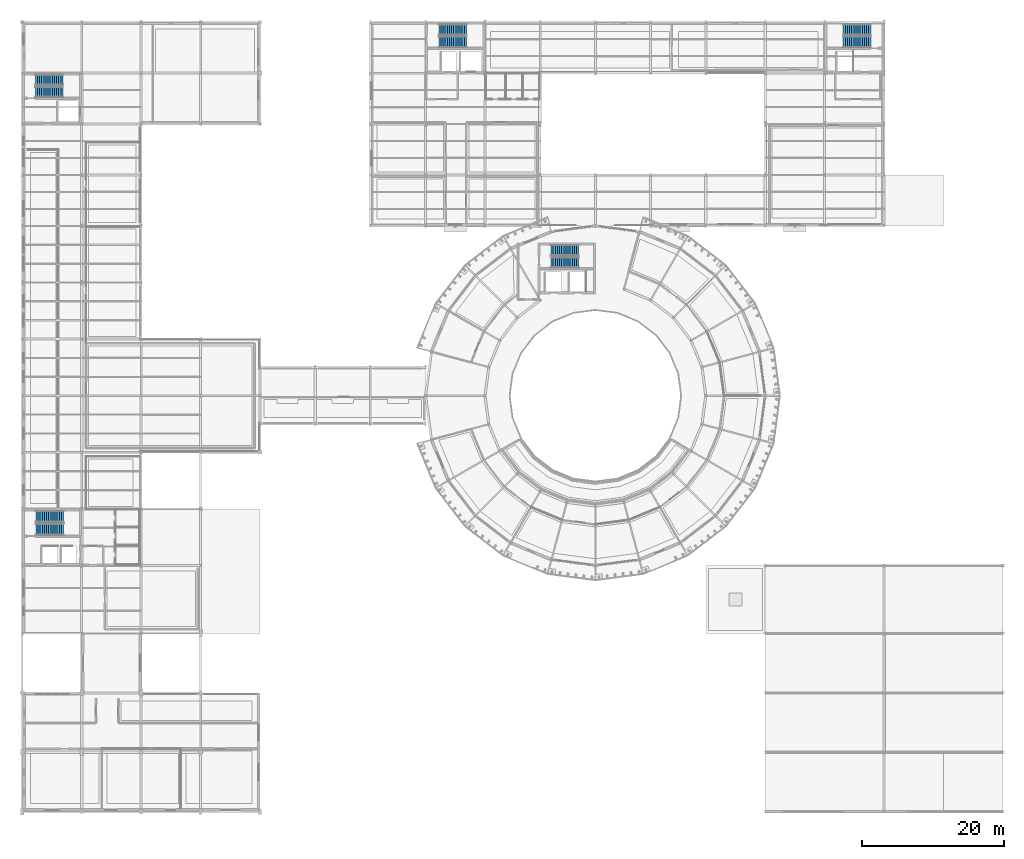
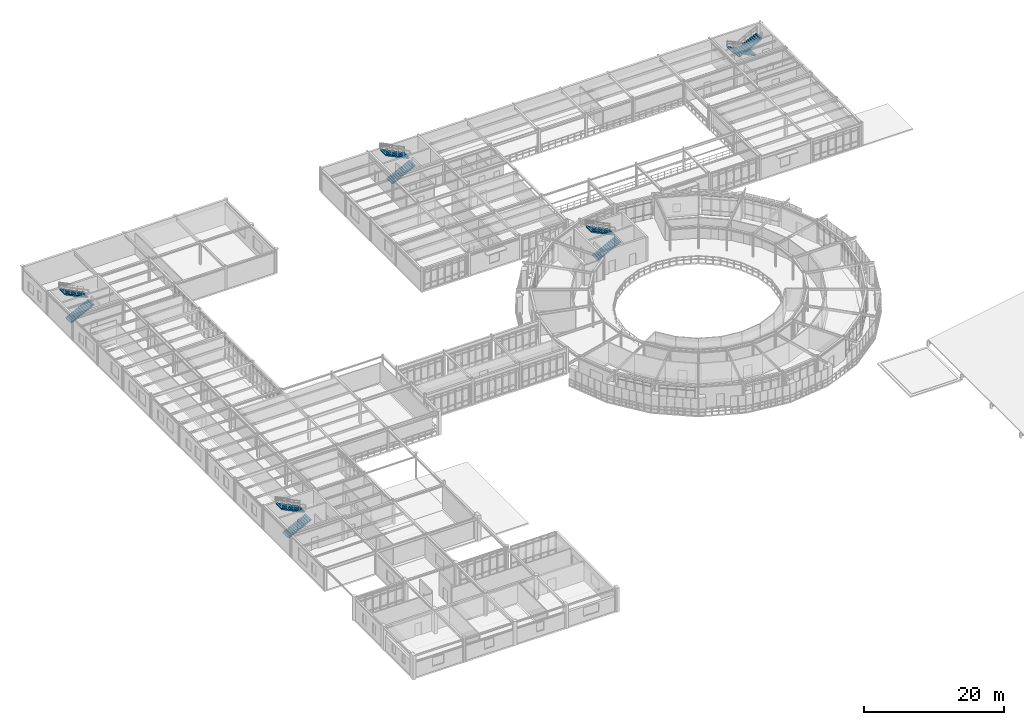
# One storey, part 79 of 90: 10 stair flights, 5 elements without a shape of their own.
"""IFC4 building model written with IfcOpenShell, lengths in metres."""

from ifc_helpers import new_model, si_unit, derived_unit, direction, frame, origin, place, context, subcontext, project, spatial, polyline, outline, extrude, material, type_object, element, aggregate, save


model = new_model("IFC4")

# Units and contexts
model_context = context("Model", 3, precision=1e-05, world=origin(), true_north=direction((0.0, 1.0)))
body_context = subcontext(model_context, "Body", "Model", "MODEL_VIEW")
ifc_project = project(units=[si_unit("LENGTHUNIT", "METRE"), si_unit("AREAUNIT", "SQUARE_METRE"), si_unit("VOLUMEUNIT", "CUBIC_METRE"), si_unit("PLANEANGLEUNIT", "RADIAN"), si_unit("MASSUNIT", "GRAM", prefix="KILO"), derived_unit("THERMALTRANSMITTANCEUNIT", [(si_unit("POWERUNIT", "WATT"), 1), (si_unit("AREAUNIT", "SQUARE_METRE"), -1), (si_unit("THERMODYNAMICTEMPERATUREUNIT", "KELVIN"), -1)])], contexts=[model_context])

# Site, building, storey
site_placement = place(None, origin())
site = spatial("IfcSite", under=ifc_project, at=site_placement, CompositionType="ELEMENT")
building_placement = place(site_placement, origin())
building = spatial("IfcBuilding", under=site, at=building_placement, Name="Yasenodar Specialist Clinic", CompositionType="ELEMENT")
storey_placement = place(building_placement, frame((0.0, 0.0, 9.0)))
storey = spatial("IfcBuildingStorey", under=building, at=storey_placement, Name="L02", CompositionType="ELEMENT", Elevation=9.0)

# Stair, stair flights
ifc_material = material(Name="Concrete C30/37", Category="concrete")
stair_type_1 = type_object("IfcStairType", Name="ST-DOG-C1-28", PredefinedType="HALF_TURN_STAIR", material=ifc_material)
stair_1_placement = place(storey_placement, origin())
stair_1 = element("IfcStair", 1, at=stair_1_placement, inside=storey, type_object=stair_type_1, Name="L02 Core C1 Exit Stair ST-01", PredefinedType="HALF_TURN_STAIR")
stair_flight_type_1 = type_object("IfcStairFlightType", Name="STF-C1-28", PredefinedType="STRAIGHT", material=ifc_material)
stair_flight_1_placement = place(storey_placement, frame((1.929931640625, 39.875, 0.0), z_axis=(0.0, 0.0, 1.0), x_axis=(1.0, 0.0, 0.0)))
stair_flight_1 = element("IfcStairFlight", 2, at=stair_flight_1_placement, type_object=stair_flight_type_1, Name="ST-01 flight 1", NumberOfRisers=14, NumberOfTreads=13, PredefinedType="STRAIGHT", RiserHeight=0.15, TreadLength=0.3, context=body_context, shape_type="SweptSolid", body=[
    extrude(outline(polyline([(0.0, 0.0), (0.0, 0.14990234375), (0.300048828125, 0.14990234375), (0.300048828125, 0.300048828125), (0.60009765625, 0.300048828125), (0.60009765625, 0.449951171875), (0.89990234375, 0.449951171875), (0.89990234375, 0.60009765625), (1.199951171875, 0.60009765625), (1.199951171875, 0.75), (1.5, 0.75), (1.5, 0.89990234375), (1.800048828125, 0.89990234375), (1.800048828125, 1.050048828125), (2.10009765625, 1.050048828125), (2.10009765625, 1.199951171875), (2.39990234375, 1.199951171875), (2.39990234375, 1.35009765625), (2.699951171875, 1.35009765625), (2.699951171875, 1.5), (3.0, 1.5), (3.0, 1.64990234375), (3.300048828125, 1.64990234375), (3.300048828125, 1.800048828125), (3.60009765625, 1.800048828125), (3.60009765625, 1.949951171875), (3.89990234375, 1.949951171875), (3.89990234375, 2.10009765625), (3.89990234375, 1.771240234375), (0.357666015625, 0.0), (0.0, 0.0)])), frame((0.0, 0.81494140625, 0.0), z_axis=(0.0, -1.0, 0.0), x_axis=(1.0, 0.0, 0.0)), (0.0, 0.0, 1.0), 1.6298828125),
])
stair_flight_2_placement = place(storey_placement, frame((5.830078125, 41.695068359375, 2.10009765625), z_axis=(0.0, 0.0, 1.0), x_axis=(-1.0, 0.0, 0.0)))
stair_flight_2 = element("IfcStairFlight", 3, at=stair_flight_2_placement, type_object=stair_flight_type_1, Name="ST-01 flight 2", NumberOfRisers=14, NumberOfTreads=13, PredefinedType="STRAIGHT", RiserHeight=0.15, TreadLength=0.3, context=body_context, shape_type="SweptSolid", body=[
    extrude(outline(polyline([(0.0, 0.0), (0.0, 0.14990234375), (0.300048828125, 0.14990234375), (0.300048828125, 0.300048828125), (0.60009765625, 0.300048828125), (0.60009765625, 0.449951171875), (0.89990234375, 0.449951171875), (0.89990234375, 0.60009765625), (1.199951171875, 0.60009765625), (1.199951171875, 0.75), (1.5, 0.75), (1.5, 0.89990234375), (1.800048828125, 0.89990234375), (1.800048828125, 1.050048828125), (2.10009765625, 1.050048828125), (2.10009765625, 1.199951171875), (2.39990234375, 1.199951171875), (2.39990234375, 1.35009765625), (2.699951171875, 1.35009765625), (2.699951171875, 1.5), (3.0, 1.5), (3.0, 1.64990234375), (3.300048828125, 1.64990234375), (3.300048828125, 1.800048828125), (3.60009765625, 1.800048828125), (3.60009765625, 1.949951171875), (3.89990234375, 1.949951171875), (3.89990234375, 2.10009765625), (3.89990234375, 1.771240234375), (0.357666015625, 0.0), (0.0, 0.0)])), frame((0.0, 0.81494140625, 0.0), z_axis=(0.0, -1.0, 0.0), x_axis=(1.0, 0.0, 0.0)), (0.0, 0.0, 1.0), 1.6298828125),
])
aggregate(stair_1, [stair_flight_1, stair_flight_2])

stair_type_2 = type_object("IfcStairType", Name="ST-DOG-C2-28", PredefinedType="HALF_TURN_STAIR", material=ifc_material)
stair_2_placement = place(storey_placement, origin())
stair_2 = element("IfcStair", 4, at=stair_2_placement, inside=storey, type_object=stair_type_2, Name="L02 Core C2 Exit Stair ST-02", PredefinedType="HALF_TURN_STAIR")
stair_flight_type_2 = type_object("IfcStairFlightType", Name="STF-C2-28", PredefinedType="STRAIGHT", material=ifc_material)
stair_flight_3_placement = place(storey_placement, frame((1.840087890625, 101.72998046875, 0.0), z_axis=(0.0, 0.0, 1.0), x_axis=(1.0, 0.0, 0.0)))
stair_flight_3 = element("IfcStairFlight", 5, at=stair_flight_3_placement, type_object=stair_flight_type_2, Name="ST-02 flight 1", NumberOfRisers=14, NumberOfTreads=13, PredefinedType="STRAIGHT", RiserHeight=0.15, TreadLength=0.3, context=body_context, shape_type="SweptSolid", body=[
    extrude(outline(polyline([(0.0, 0.0), (0.0, 0.14990234375), (0.300048828125, 0.14990234375), (0.300048828125, 0.300048828125), (0.60009765625, 0.300048828125), (0.60009765625, 0.449951171875), (0.89990234375, 0.449951171875), (0.89990234375, 0.60009765625), (1.199951171875, 0.60009765625), (1.199951171875, 0.75), (1.5, 0.75), (1.5, 0.89990234375), (1.800048828125, 0.89990234375), (1.800048828125, 1.050048828125), (2.10009765625, 1.050048828125), (2.10009765625, 1.199951171875), (2.39990234375, 1.199951171875), (2.39990234375, 1.35009765625), (2.699951171875, 1.35009765625), (2.699951171875, 1.5), (3.0, 1.5), (3.0, 1.64990234375), (3.300048828125, 1.64990234375), (3.300048828125, 1.800048828125), (3.60009765625, 1.800048828125), (3.60009765625, 1.949951171875), (3.89990234375, 1.949951171875), (3.89990234375, 2.10009765625), (3.89990234375, 1.771240234375), (0.357666015625, 0.0), (0.0, 0.0)])), frame((0.0, 0.77001953125, 0.0), z_axis=(0.0, -1.0, 0.0), x_axis=(1.0, 0.0, 0.0)), (0.0, 0.0, 1.0), 1.5400390625),
])
stair_flight_4_placement = place(storey_placement, frame((5.739990234375, 103.429931640625, 2.10009765625), z_axis=(0.0, 0.0, 1.0), x_axis=(-1.0, 0.0, 0.0)))
stair_flight_4 = element("IfcStairFlight", 6, at=stair_flight_4_placement, type_object=stair_flight_type_2, Name="ST-02 flight 2", NumberOfRisers=14, NumberOfTreads=13, PredefinedType="STRAIGHT", RiserHeight=0.15, TreadLength=0.3, context=body_context, shape_type="SweptSolid", body=[
    extrude(outline(polyline([(0.0, 0.0), (0.0, 0.14990234375), (0.300048828125, 0.14990234375), (0.300048828125, 0.300048828125), (0.60009765625, 0.300048828125), (0.60009765625, 0.449951171875), (0.89990234375, 0.449951171875), (0.89990234375, 0.60009765625), (1.199951171875, 0.60009765625), (1.199951171875, 0.75), (1.5, 0.75), (1.5, 0.89990234375), (1.800048828125, 0.89990234375), (1.800048828125, 1.050048828125), (2.10009765625, 1.050048828125), (2.10009765625, 1.199951171875), (2.39990234375, 1.199951171875), (2.39990234375, 1.35009765625), (2.699951171875, 1.35009765625), (2.699951171875, 1.5), (3.0, 1.5), (3.0, 1.64990234375), (3.300048828125, 1.64990234375), (3.300048828125, 1.800048828125), (3.60009765625, 1.800048828125), (3.60009765625, 1.949951171875), (3.89990234375, 1.949951171875), (3.89990234375, 2.10009765625), (3.89990234375, 1.771240234375), (0.357666015625, 0.0), (0.0, 0.0)])), frame((0.0, 0.77001953125, 0.0), z_axis=(0.0, -1.0, 0.0), x_axis=(1.0, 0.0, 0.0)), (0.0, 0.0, 1.0), 1.5400390625),
])
aggregate(stair_2, [stair_flight_3, stair_flight_4])

stair_3_placement = place(storey_placement, origin())
stair_3 = element("IfcStair", 7, at=stair_3_placement, inside=storey, type_object=stair_type_2, Name="L02 Core C3 Exit Stair ST-03", PredefinedType="HALF_TURN_STAIR")
stair_flight_5_placement = place(storey_placement, frame((74.739990234375, 77.6298828125, 0.0), z_axis=(0.0, 0.0, 1.0), x_axis=(1.0, 0.0, 0.0)))
stair_flight_5 = element("IfcStairFlight", 8, at=stair_flight_5_placement, type_object=stair_flight_type_2, Name="ST-03 flight 1", NumberOfRisers=14, NumberOfTreads=13, PredefinedType="STRAIGHT", RiserHeight=0.15, TreadLength=0.3, context=body_context, shape_type="SweptSolid", body=[
    extrude(outline(polyline([(0.0, 0.0), (0.0, 0.14990234375), (0.300048828125, 0.14990234375), (0.300048828125, 0.300048828125), (0.60009765625, 0.300048828125), (0.60009765625, 0.449951171875), (0.89990234375, 0.449951171875), (0.89990234375, 0.60009765625), (1.199951171875, 0.60009765625), (1.199951171875, 0.75), (1.5, 0.75), (1.5, 0.89990234375), (1.800048828125, 0.89990234375), (1.800048828125, 1.050048828125), (2.10009765625, 1.050048828125), (2.10009765625, 1.199951171875), (2.39990234375, 1.199951171875), (2.39990234375, 1.35009765625), (2.699951171875, 1.35009765625), (2.699951171875, 1.5), (3.0, 1.5), (3.0, 1.64990234375), (3.300048828125, 1.64990234375), (3.300048828125, 1.800048828125), (3.60009765625, 1.800048828125), (3.60009765625, 1.949951171875), (3.89990234375, 1.949951171875), (3.89990234375, 2.10009765625), (3.89990234375, 1.771240234375), (0.357666015625, 0.0), (0.0, 0.0)])), frame((0.0, 0.77001953125, 0.0), z_axis=(0.0, -1.0, 0.0), x_axis=(1.0, 0.0, 0.0)), (0.0, 0.0, 1.0), 1.5400390625),
])
stair_flight_6_placement = place(storey_placement, frame((78.639892578125, 79.340087890625, 2.10009765625), z_axis=(0.0, 0.0, 1.0), x_axis=(-1.0, 0.0, 0.0)))
stair_flight_6 = element("IfcStairFlight", 9, at=stair_flight_6_placement, type_object=stair_flight_type_2, Name="ST-03 flight 2", NumberOfRisers=14, NumberOfTreads=13, PredefinedType="STRAIGHT", RiserHeight=0.15, TreadLength=0.3, context=body_context, shape_type="SweptSolid", body=[
    extrude(outline(polyline([(0.0, 0.0), (0.0, 0.14990234375), (0.300048828125, 0.14990234375), (0.300048828125, 0.300048828125), (0.60009765625, 0.300048828125), (0.60009765625, 0.449951171875), (0.89990234375, 0.449951171875), (0.89990234375, 0.60009765625), (1.199951171875, 0.60009765625), (1.199951171875, 0.75), (1.5, 0.75), (1.5, 0.89990234375), (1.800048828125, 0.89990234375), (1.800048828125, 1.050048828125), (2.10009765625, 1.050048828125), (2.10009765625, 1.199951171875), (2.39990234375, 1.199951171875), (2.39990234375, 1.35009765625), (2.699951171875, 1.35009765625), (2.699951171875, 1.5), (3.0, 1.5), (3.0, 1.64990234375), (3.300048828125, 1.64990234375), (3.300048828125, 1.800048828125), (3.60009765625, 1.800048828125), (3.60009765625, 1.949951171875), (3.89990234375, 1.949951171875), (3.89990234375, 2.10009765625), (3.89990234375, 1.771240234375), (0.357666015625, 0.0), (0.0, 0.0)])), frame((0.0, 0.77001953125, 0.0), z_axis=(0.0, -1.0, 0.0), x_axis=(1.0, 0.0, 0.0)), (0.0, 0.0, 1.0), 1.5400390625),
])
aggregate(stair_3, [stair_flight_5, stair_flight_6])

stair_type_3 = type_object("IfcStairType", Name="ST-DOG-C4-28", PredefinedType="HALF_TURN_STAIR", material=ifc_material)
stair_4_placement = place(storey_placement, origin())
stair_4 = element("IfcStair", 10, at=stair_4_placement, inside=storey, type_object=stair_type_3, Name="L02 Core C4 Exit Stair ST-04", PredefinedType="HALF_TURN_STAIR")
stair_flight_type_3 = type_object("IfcStairFlightType", Name="STF-C4-28", PredefinedType="STRAIGHT", material=ifc_material)
stair_flight_7_placement = place(storey_placement, frame((58.8701171875, 108.794921875, 0.0), z_axis=(0.0, 0.0, 1.0), x_axis=(1.0, 0.0, 0.0)))
stair_flight_7 = element("IfcStairFlight", 11, at=stair_flight_7_placement, type_object=stair_flight_type_3, Name="ST-04 flight 1", NumberOfRisers=14, NumberOfTreads=13, PredefinedType="STRAIGHT", RiserHeight=0.15, TreadLength=0.3, context=body_context, shape_type="SweptSolid", body=[
    extrude(outline(polyline([(0.0, 0.0), (0.0, 0.14990234375), (0.300048828125, 0.14990234375), (0.300048828125, 0.300048828125), (0.60009765625, 0.300048828125), (0.60009765625, 0.449951171875), (0.89990234375, 0.449951171875), (0.89990234375, 0.60009765625), (1.199951171875, 0.60009765625), (1.199951171875, 0.75), (1.5, 0.75), (1.5, 0.89990234375), (1.800048828125, 0.89990234375), (1.800048828125, 1.050048828125), (2.10009765625, 1.050048828125), (2.10009765625, 1.199951171875), (2.39990234375, 1.199951171875), (2.39990234375, 1.35009765625), (2.699951171875, 1.35009765625), (2.699951171875, 1.5), (3.0, 1.5), (3.0, 1.64990234375), (3.300048828125, 1.64990234375), (3.300048828125, 1.800048828125), (3.60009765625, 1.800048828125), (3.60009765625, 1.949951171875), (3.89990234375, 1.949951171875), (3.89990234375, 2.10009765625), (3.89990234375, 1.771240234375), (0.357666015625, 0.0), (0.0, 0.0)])), frame((0.0, 0.78515625, 0.0), z_axis=(0.0, -1.0, 0.0), x_axis=(1.0, 0.0, 0.0)), (0.0, 0.0, 1.0), 1.570068359375),
])
stair_flight_8_placement = place(storey_placement, frame((62.77001953125, 110.52490234375, 2.10009765625), z_axis=(0.0, 0.0, 1.0), x_axis=(-1.0, 0.0, 0.0)))
stair_flight_8 = element("IfcStairFlight", 12, at=stair_flight_8_placement, type_object=stair_flight_type_3, Name="ST-04 flight 2", NumberOfRisers=14, NumberOfTreads=13, PredefinedType="STRAIGHT", RiserHeight=0.15, TreadLength=0.3, context=body_context, shape_type="SweptSolid", body=[
    extrude(outline(polyline([(0.0, 0.0), (0.0, 0.14990234375), (0.300048828125, 0.14990234375), (0.300048828125, 0.300048828125), (0.60009765625, 0.300048828125), (0.60009765625, 0.449951171875), (0.89990234375, 0.449951171875), (0.89990234375, 0.60009765625), (1.199951171875, 0.60009765625), (1.199951171875, 0.75), (1.5, 0.75), (1.5, 0.89990234375), (1.800048828125, 0.89990234375), (1.800048828125, 1.050048828125), (2.10009765625, 1.050048828125), (2.10009765625, 1.199951171875), (2.39990234375, 1.199951171875), (2.39990234375, 1.35009765625), (2.699951171875, 1.35009765625), (2.699951171875, 1.5), (3.0, 1.5), (3.0, 1.64990234375), (3.300048828125, 1.64990234375), (3.300048828125, 1.800048828125), (3.60009765625, 1.800048828125), (3.60009765625, 1.949951171875), (3.89990234375, 1.949951171875), (3.89990234375, 2.10009765625), (3.89990234375, 1.771240234375), (0.357666015625, 0.0), (0.0, 0.0)])), frame((0.0, 0.78515625, 0.0), z_axis=(0.0, -1.0, 0.0), x_axis=(1.0, 0.0, 0.0)), (0.0, 0.0, 1.0), 1.570068359375),
])
aggregate(stair_4, [stair_flight_7, stair_flight_8])

stair_5_placement = place(storey_placement, origin())
stair_5 = element("IfcStair", 13, at=stair_5_placement, inside=storey, type_object=stair_type_3, Name="L02 Core C5 Exit Stair ST-05", PredefinedType="HALF_TURN_STAIR")
stair_flight_9_placement = place(storey_placement, frame((119.929931640625, 110.52490234375, 0.0), z_axis=(0.0, 0.0, 1.0), x_axis=(-1.0, 0.0, 0.0)))
stair_flight_9 = element("IfcStairFlight", 14, at=stair_flight_9_placement, type_object=stair_flight_type_3, Name="ST-05 flight 1", NumberOfRisers=14, NumberOfTreads=13, PredefinedType="STRAIGHT", RiserHeight=0.15, TreadLength=0.3, context=body_context, shape_type="SweptSolid", body=[
    extrude(outline(polyline([(0.0, 0.0), (0.0, 0.14990234375), (0.300048828125, 0.14990234375), (0.300048828125, 0.300048828125), (0.60009765625, 0.300048828125), (0.60009765625, 0.449951171875), (0.89990234375, 0.449951171875), (0.89990234375, 0.60009765625), (1.199951171875, 0.60009765625), (1.199951171875, 0.75), (1.5, 0.75), (1.5, 0.89990234375), (1.800048828125, 0.89990234375), (1.800048828125, 1.050048828125), (2.10009765625, 1.050048828125), (2.10009765625, 1.199951171875), (2.39990234375, 1.199951171875), (2.39990234375, 1.35009765625), (2.699951171875, 1.35009765625), (2.699951171875, 1.5), (3.0, 1.5), (3.0, 1.64990234375), (3.300048828125, 1.64990234375), (3.300048828125, 1.800048828125), (3.60009765625, 1.800048828125), (3.60009765625, 1.949951171875), (3.89990234375, 1.949951171875), (3.89990234375, 2.10009765625), (3.89990234375, 1.771240234375), (0.357666015625, 0.0), (0.0, 0.0)])), frame((0.0, 0.78515625, 0.0), z_axis=(0.0, -1.0, 0.0), x_axis=(1.0, 0.0, 0.0)), (0.0, 0.0, 1.0), 1.570068359375),
])
stair_flight_10_placement = place(storey_placement, frame((116.030029296875, 108.794921875, 2.10009765625), z_axis=(0.0, 0.0, 1.0), x_axis=(1.0, 0.0, 0.0)))
stair_flight_10 = element("IfcStairFlight", 15, at=stair_flight_10_placement, type_object=stair_flight_type_3, Name="ST-05 flight 2", NumberOfRisers=14, NumberOfTreads=13, PredefinedType="STRAIGHT", RiserHeight=0.15, TreadLength=0.3, context=body_context, shape_type="SweptSolid", body=[
    extrude(outline(polyline([(0.0, 0.0), (0.0, 0.14990234375), (0.300048828125, 0.14990234375), (0.300048828125, 0.300048828125), (0.60009765625, 0.300048828125), (0.60009765625, 0.449951171875), (0.89990234375, 0.449951171875), (0.89990234375, 0.60009765625), (1.199951171875, 0.60009765625), (1.199951171875, 0.75), (1.5, 0.75), (1.5, 0.89990234375), (1.800048828125, 0.89990234375), (1.800048828125, 1.050048828125), (2.10009765625, 1.050048828125), (2.10009765625, 1.199951171875), (2.39990234375, 1.199951171875), (2.39990234375, 1.35009765625), (2.699951171875, 1.35009765625), (2.699951171875, 1.5), (3.0, 1.5), (3.0, 1.64990234375), (3.300048828125, 1.64990234375), (3.300048828125, 1.800048828125), (3.60009765625, 1.800048828125), (3.60009765625, 1.949951171875), (3.89990234375, 1.949951171875), (3.89990234375, 2.10009765625), (3.89990234375, 1.771240234375), (0.357666015625, 0.0), (0.0, 0.0)])), frame((0.0, 0.78515625, 0.0), z_axis=(0.0, -1.0, 0.0), x_axis=(1.0, 0.0, 0.0)), (0.0, 0.0, 1.0), 1.570068359375),
])
aggregate(stair_5, [stair_flight_9, stair_flight_10])

save(model, "model.ifc")
